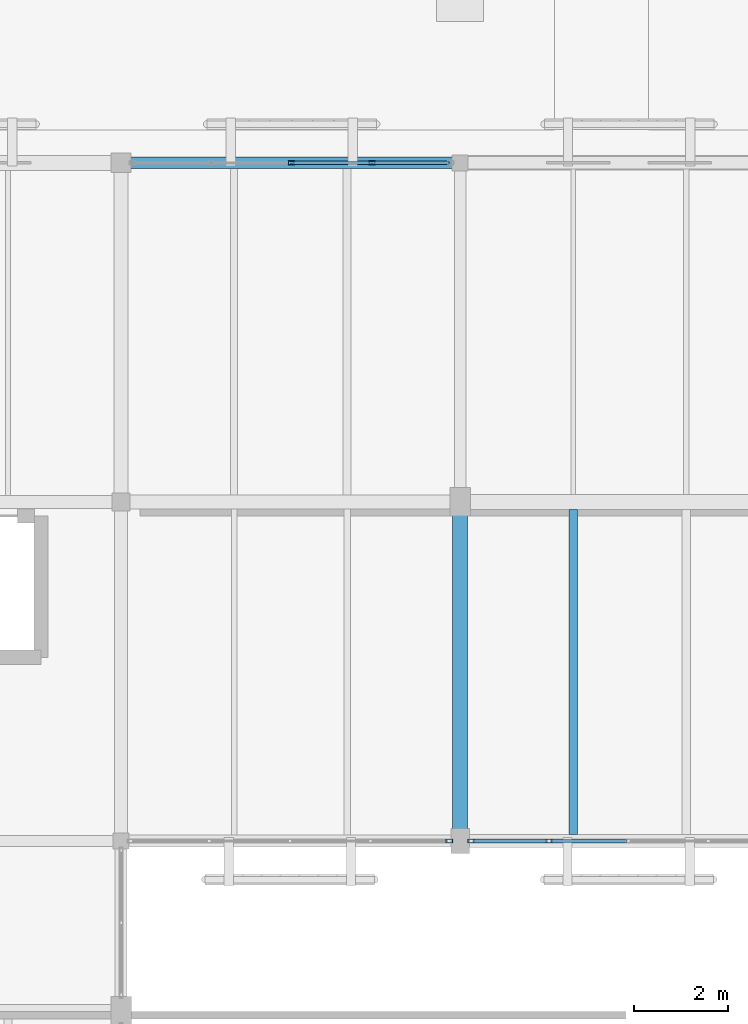
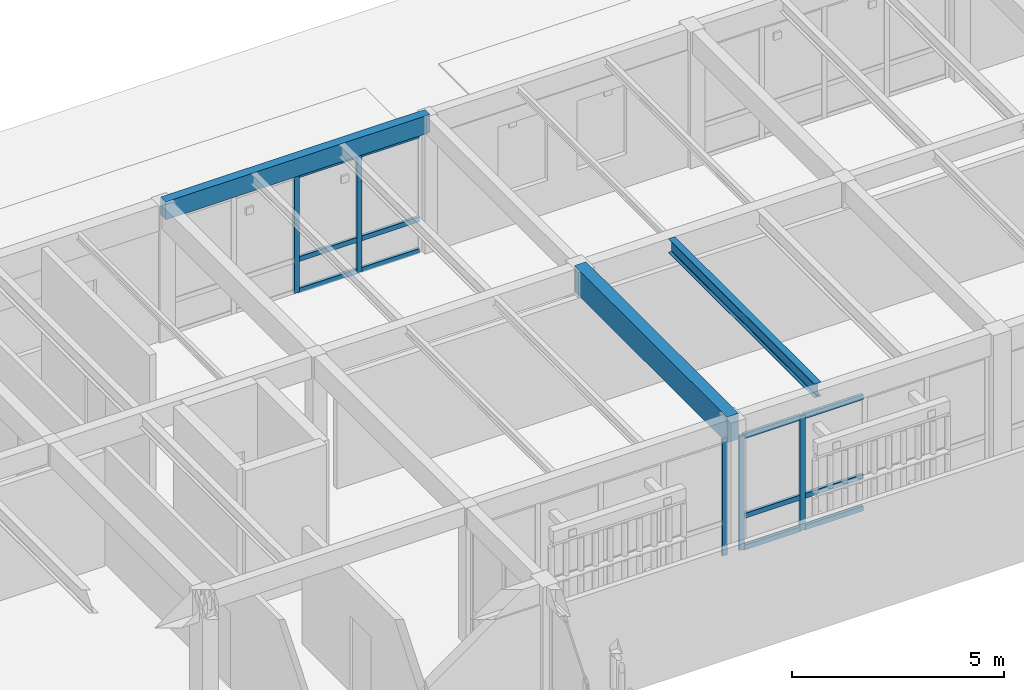
# One storey, part 65 of 112: 17 members, 3 beams, 3 elements without a shape of their own.
"""IFC4 building model written with IfcOpenShell, lengths in metres."""

from ifc_helpers import new_model, si_unit, direction, frame, origin, origin_2d, place, context, subcontext, project, spatial, rectangle, hollow_rectangle, i_section, extrude, material, layer, layer_set, material_profile, profile_set, type_object, element, aggregate, save


model = new_model("IFC4")

# Units and contexts
model_context = context("Model", 3, precision=1e-05, world=origin(), true_north=direction((0.0, 1.0)))
body_context = subcontext(model_context, "Body", "Model", "MODEL_VIEW")
ifc_project = project(units=[si_unit("LENGTHUNIT", "METRE"), si_unit("AREAUNIT", "SQUARE_METRE"), si_unit("VOLUMEUNIT", "CUBIC_METRE"), si_unit("PLANEANGLEUNIT", "RADIAN"), si_unit("MASSUNIT", "GRAM", prefix="KILO")], contexts=[model_context])

# Site, building, storey
site_placement = place(None, origin())
site = spatial("IfcSite", under=ifc_project, at=site_placement, CompositionType="ELEMENT")
building_placement = place(site_placement, origin())
building = spatial("IfcBuilding", under=site, at=building_placement, Name="Mazaris Harbour Polytechnic", CompositionType="ELEMENT")
storey_placement = place(building_placement, frame((0.0, 0.0, 13.800048828125)))
storey = spatial("IfcBuildingStorey", under=building, at=storey_placement, Name="L03", CompositionType="ELEMENT", Elevation=13.800048828125)

# Curtain wall, members
ifc_material_1 = material(Name="Anodised Bronze Aluminium and Low-E Glass", Category="aluminium")
ifc_layer = layer(ifc_material_1, 0.169921875, Name="Anodised Bronze Aluminium and Low-E Glass")
ifc_layer_set = layer_set([ifc_layer], Name="Anodised Bronze Aluminium and Low-E Glass")
curtain_wall_type = type_object("IfcCurtainWallType", Name="Studio North-Light Curtain Wall", PredefinedType="NOTDEFINED", material=ifc_layer_set)
curtain_wall_1_placement = place(storey_placement, origin())
curtain_wall_1 = element("IfcCurtainWall", 1, at=curtain_wall_1_placement, inside=storey, type_object=curtain_wall_type, Name="V5 L03 Curtain Wall 250", PredefinedType="NOTDEFINED")
ifc_material_2 = material(Name="Anodised Bronze Steel S355", Category="steel")
ifc_material_profile_1 = material_profile(ifc_material_2, hollow_rectangle(XDim=0.080078125, YDim=0.139892578125, WallThickness=0.00634765625, at=origin_2d()), Name="RHS 80x140x6.3")
ifc_profile_set_1 = profile_set([ifc_material_profile_1], Name="Anodised Bronze Steel S355")
member_type_1 = type_object("IfcMemberType", Name="Curtain Mullion RHS80x140", PredefinedType="MULLION", material=ifc_profile_set_1)
member_1_placement = place(storey_placement, frame((140.419921875, 100.800048828125, 0.0), z_axis=(0.0, 0.0, 1.0), x_axis=(0.0, 1.0, 0.0)))
member_1 = element("IfcMember", 2, at=member_1_placement, type_object=member_type_1, Name="CW-03 mullion 3", PredefinedType="MULLION", context=body_context, shape_type="SweptSolid", body=[
    extrude(hollow_rectangle(XDim=0.080078125, YDim=0.139892578125, WallThickness=0.00634765625, at=origin_2d()), origin(), (0.0, 0.0, 1.0), 3.405029296875),
])
member_2_placement = place(storey_placement, frame((142.12890625, 100.800048828125, 0.0), z_axis=(0.0, 0.0, 1.0), x_axis=(0.0, 1.0, 0.0)))
member_2 = element("IfcMember", 3, at=member_2_placement, type_object=member_type_1, Name="CW-03 mullion 4", PredefinedType="MULLION", context=body_context, shape_type="SweptSolid", body=[
    extrude(hollow_rectangle(XDim=0.080078125, YDim=0.139892578125, WallThickness=0.00634765625, at=origin_2d()), origin(), (0.0, 0.0, 1.0), 3.405029296875),
])

# Curtain wall, member
curtain_wall_2_placement = place(storey_placement, origin())
curtain_wall_2 = element("IfcCurtainWall", 4, at=curtain_wall_2_placement, inside=storey, type_object=curtain_wall_type, Name="V5 L03 Curtain Wall 260", PredefinedType="NOTDEFINED")
member_3_placement = place(storey_placement, frame((143.76806640625, 86.39990234375, 0.0), z_axis=(0.0, 0.0, 1.0), x_axis=(0.0, -1.0, 0.0)))
member_3 = element("IfcMember", 5, at=member_3_placement, type_object=member_type_1, Name="CW-03 mullion 1", PredefinedType="MULLION", context=body_context, shape_type="SweptSolid", body=[
    extrude(hollow_rectangle(XDim=0.080078125, YDim=0.139892578125, WallThickness=0.00634765625, at=origin_2d()), origin(), (0.0, 0.0, 1.0), 3.344970703125),
])
aggregate(curtain_wall_2, [member_3])

# Curtain wall, members
curtain_wall_3_placement = place(storey_placement, origin())
curtain_wall_3 = element("IfcCurtainWall", 6, at=curtain_wall_3_placement, inside=storey, type_object=curtain_wall_type, Name="V5 L03 Curtain Wall 261", PredefinedType="NOTDEFINED")
member_4_placement = place(storey_placement, frame((145.883544921875, 86.39990234375, 0.0), z_axis=(0.0, 0.0, 1.0), x_axis=(0.0, -1.0, 0.0)))
member_4 = element("IfcMember", 7, at=member_4_placement, type_object=member_type_1, Name="CW-03 mullion 4", PredefinedType="MULLION", context=body_context, shape_type="SweptSolid", body=[
    extrude(hollow_rectangle(XDim=0.080078125, YDim=0.139892578125, WallThickness=0.00634765625, at=origin_2d()), origin(), (0.0, 0.0, 1.0), 3.284912109375),
])
member_5_placement = place(storey_placement, frame((144.23193359375, 86.39990234375, 0.0), z_axis=(0.0, 0.0, 1.0), x_axis=(0.0, -1.0, 0.0)))
member_5 = element("IfcMember", 8, at=member_5_placement, type_object=member_type_1, Name="CW-03 mullion 5", PredefinedType="MULLION", context=body_context, shape_type="SweptSolid", body=[
    extrude(hollow_rectangle(XDim=0.080078125, YDim=0.139892578125, WallThickness=0.00634765625, at=origin_2d()), origin(), (0.0, 0.0, 1.0), 3.284912109375),
])

# Member
ifc_material_3 = material(Name="Anodised Bronze Steel S355", Category="steel")
ifc_material_profile_2 = material_profile(ifc_material_3, hollow_rectangle(XDim=0.080078125, YDim=0.139892578125, WallThickness=0.00634765625, at=origin_2d()), Name="RHS 80x140x6.3")
ifc_profile_set_2 = profile_set([ifc_material_profile_2], Name="Anodised Bronze Steel S355")
member_type_2 = type_object("IfcMemberType", Name="Curtain Transom RHS80x140", PredefinedType="USERDEFINED", material=ifc_profile_set_2)
member_6_placement = place(storey_placement, frame((140.4599609375, 100.800048828125, 0.0400390625), z_axis=(1.0, 0.0, 0.0), x_axis=(0.0, 1.0, 0.0)))
member_6 = element("IfcMember", 9, at=member_6_placement, type_object=member_type_2, Name="CW-03 transom 3.1", ObjectType="TRANSOM", PredefinedType="USERDEFINED", context=body_context, shape_type="SweptSolid", body=[
    extrude(hollow_rectangle(XDim=0.080078125, YDim=0.139892578125, WallThickness=0.00634765625, at=origin_2d()), origin(), (0.0, 0.0, 1.0), 1.629150390625),
])

member_7_placement = place(storey_placement, frame((140.4599609375, 100.800048828125, 0.949951171875), z_axis=(1.0, 0.0, 0.0), x_axis=(0.0, 1.0, 0.0)))
member_7 = element("IfcMember", 10, at=member_7_placement, type_object=member_type_2, Name="CW-03 transom 3.2", ObjectType="TRANSOM", PredefinedType="USERDEFINED", context=body_context, shape_type="SweptSolid", body=[
    extrude(hollow_rectangle(XDim=0.080078125, YDim=0.139892578125, WallThickness=0.00634765625, at=origin_2d()), origin(), (0.0, 0.0, 1.0), 1.629150390625),
])

member_8_placement = place(storey_placement, frame((140.4599609375, 100.800048828125, 3.364990234375), z_axis=(1.0, 0.0, 0.0), x_axis=(0.0, 1.0, 0.0)))
member_8 = element("IfcMember", 11, at=member_8_placement, type_object=member_type_2, Name="CW-03 transom 3.3", ObjectType="TRANSOM", PredefinedType="USERDEFINED", context=body_context, shape_type="SweptSolid", body=[
    extrude(hollow_rectangle(XDim=0.080078125, YDim=0.139892578125, WallThickness=0.00634765625, at=origin_2d()), origin(), (0.0, 0.0, 1.0), 1.629150390625),
])

member_9_placement = place(storey_placement, frame((142.1689453125, 100.800048828125, 0.0400390625), z_axis=(1.0, 0.0, 0.0), x_axis=(0.0, 1.0, 0.0)))
member_9 = element("IfcMember", 12, at=member_9_placement, type_object=member_type_2, Name="CW-03 transom 4.1", ObjectType="TRANSOM", PredefinedType="USERDEFINED", context=body_context, shape_type="SweptSolid", body=[
    extrude(hollow_rectangle(XDim=0.080078125, YDim=0.139892578125, WallThickness=0.00634765625, at=origin_2d()), origin(), (0.0, 0.0, 1.0), 1.589111328125),
])

member_10_placement = place(storey_placement, frame((142.1689453125, 100.800048828125, 0.949951171875), z_axis=(1.0, 0.0, 0.0), x_axis=(0.0, 1.0, 0.0)))
member_10 = element("IfcMember", 13, at=member_10_placement, type_object=member_type_2, Name="CW-03 transom 4.2", ObjectType="TRANSOM", PredefinedType="USERDEFINED", context=body_context, shape_type="SweptSolid", body=[
    extrude(hollow_rectangle(XDim=0.080078125, YDim=0.139892578125, WallThickness=0.00634765625, at=origin_2d()), origin(), (0.0, 0.0, 1.0), 1.589111328125),
])

member_11_placement = place(storey_placement, frame((142.1689453125, 100.800048828125, 3.364990234375), z_axis=(1.0, 0.0, 0.0), x_axis=(0.0, 1.0, 0.0)))
member_11 = element("IfcMember", 14, at=member_11_placement, type_object=member_type_2, Name="CW-03 transom 4.3", ObjectType="TRANSOM", PredefinedType="USERDEFINED", context=body_context, shape_type="SweptSolid", body=[
    extrude(hollow_rectangle(XDim=0.080078125, YDim=0.139892578125, WallThickness=0.00634765625, at=origin_2d()), origin(), (0.0, 0.0, 1.0), 1.589111328125),
])

aggregate(curtain_wall_1, [member_1, member_2, member_6, member_7, member_8, member_9, member_10, member_11])

member_12_placement = place(storey_placement, frame((147.534912109375, 86.39990234375, 0.0400390625), z_axis=(-1.0, 0.0, 0.0), x_axis=(0.0, -1.0, 0.0)))
member_12 = element("IfcMember", 15, at=member_12_placement, type_object=member_type_2, Name="CW-03 transom 3.1", ObjectType="TRANSOM", PredefinedType="USERDEFINED", context=body_context, shape_type="SweptSolid", body=[
    extrude(hollow_rectangle(XDim=0.080078125, YDim=0.139892578125, WallThickness=0.00634765625, at=origin_2d()), origin(), (0.0, 0.0, 1.0), 1.611328125),
])

member_13_placement = place(storey_placement, frame((147.534912109375, 86.39990234375, 0.949951171875), z_axis=(-1.0, 0.0, 0.0), x_axis=(0.0, -1.0, 0.0)))
member_13 = element("IfcMember", 16, at=member_13_placement, type_object=member_type_2, Name="CW-03 transom 3.2", ObjectType="TRANSOM", PredefinedType="USERDEFINED", context=body_context, shape_type="SweptSolid", body=[
    extrude(hollow_rectangle(XDim=0.080078125, YDim=0.139892578125, WallThickness=0.00634765625, at=origin_2d()), origin(), (0.0, 0.0, 1.0), 1.611328125),
])

member_14_placement = place(storey_placement, frame((147.534912109375, 86.39990234375, 3.244873046875), z_axis=(-1.0, 0.0, 0.0), x_axis=(0.0, -1.0, 0.0)))
member_14 = element("IfcMember", 17, at=member_14_placement, type_object=member_type_2, Name="CW-03 transom 3.3", ObjectType="TRANSOM", PredefinedType="USERDEFINED", context=body_context, shape_type="SweptSolid", body=[
    extrude(hollow_rectangle(XDim=0.080078125, YDim=0.139892578125, WallThickness=0.00634765625, at=origin_2d()), origin(), (0.0, 0.0, 1.0), 1.611328125),
])

member_15_placement = place(storey_placement, frame((145.843505859375, 86.39990234375, 0.0400390625), z_axis=(-1.0, 0.0, 0.0), x_axis=(0.0, -1.0, 0.0)))
member_15 = element("IfcMember", 18, at=member_15_placement, type_object=member_type_2, Name="CW-03 transom 4.1", ObjectType="TRANSOM", PredefinedType="USERDEFINED", context=body_context, shape_type="SweptSolid", body=[
    extrude(hollow_rectangle(XDim=0.080078125, YDim=0.139892578125, WallThickness=0.00634765625, at=origin_2d()), origin(), (0.0, 0.0, 1.0), 1.571533203125),
])

member_16_placement = place(storey_placement, frame((145.843505859375, 86.39990234375, 0.949951171875), z_axis=(-1.0, 0.0, 0.0), x_axis=(0.0, -1.0, 0.0)))
member_16 = element("IfcMember", 19, at=member_16_placement, type_object=member_type_2, Name="CW-03 transom 4.2", ObjectType="TRANSOM", PredefinedType="USERDEFINED", context=body_context, shape_type="SweptSolid", body=[
    extrude(hollow_rectangle(XDim=0.080078125, YDim=0.139892578125, WallThickness=0.00634765625, at=origin_2d()), origin(), (0.0, 0.0, 1.0), 1.571533203125),
])

member_17_placement = place(storey_placement, frame((145.843505859375, 86.39990234375, 3.244873046875), z_axis=(-1.0, 0.0, 0.0), x_axis=(0.0, -1.0, 0.0)))
member_17 = element("IfcMember", 20, at=member_17_placement, type_object=member_type_2, Name="CW-03 transom 4.3", ObjectType="TRANSOM", PredefinedType="USERDEFINED", context=body_context, shape_type="SweptSolid", body=[
    extrude(hollow_rectangle(XDim=0.080078125, YDim=0.139892578125, WallThickness=0.00634765625, at=origin_2d()), origin(), (0.0, 0.0, 1.0), 1.571533203125),
])

aggregate(curtain_wall_3, [member_4, member_5, member_12, member_13, member_14, member_15, member_16, member_17])

# Beams
ifc_material_4 = material(Name="Glulam GL32h", Category="wood")
ifc_material_profile_3 = material_profile(ifc_material_4, rectangle(XDim=0.239990234375, YDim=0.52001953125, at=origin_2d()), Name="RECT240x520")
ifc_profile_set_3 = profile_set([ifc_material_profile_3], Name="Glulam GL32h")
beam_type_1 = type_object("IfcBeamType", Name="Glulam Girder 240x520 Exterior", PredefinedType="BEAM", material=ifc_profile_set_3)
beam_1_placement = place(storey_placement, frame((136.800048828125, 100.800048828125, 3.675048828125), z_axis=(1.0, 0.0, 0.0), x_axis=(0.0, 1.0, 0.0)))
element("IfcBeam", 21, at=beam_1_placement, inside=storey, type_object=beam_type_1, Name="V5 L03 Girder 3325", PredefinedType="BEAM", context=body_context, shape_type="SweptSolid", body=[
    extrude(rectangle(XDim=0.239990234375, YDim=0.52001953125, at=origin_2d()), origin(), (0.0, 0.0, 1.0), 7.199951171875),
])
ifc_material_5 = material(Name="Glulam GL32h", Category="wood")
ifc_material_profile_4 = material_profile(ifc_material_5, rectangle(XDim=0.320068359375, YDim=0.739990234375, at=origin_2d()), Name="RECT320x740")
ifc_profile_set_4 = profile_set([ifc_material_profile_4], Name="Glulam GL32h")
beam_type_2 = type_object("IfcBeamType", Name="Glulam Girder 320x740", PredefinedType="BEAM", material=ifc_profile_set_4)
beam_2_placement = place(storey_placement, frame((144.0, 86.39990234375, 3.56494140625), z_axis=(0.0, 1.0, 0.0), x_axis=(-1.0, 0.0, 0.0)))
element("IfcBeam", 22, at=beam_2_placement, inside=storey, type_object=beam_type_2, Name="V5 L03 Tie Girder 3344", PredefinedType="BEAM", context=body_context, shape_type="SweptSolid", body=[
    extrude(rectangle(XDim=0.320068359375, YDim=0.739990234375, at=origin_2d()), origin(), (0.0, 0.0, 1.0), 7.2001953125),
])
ifc_material_6 = material(Name="Steel S355", Category="steel")
ifc_material_profile_5 = material_profile(ifc_material_6, i_section(OverallWidth=0.179931640625, OverallDepth=0.39990234375, WebThickness=0.008544921875, FlangeThickness=0.013427734375, FilletRadius=0.02099609375, at=origin_2d()), Name="IPE 400")
ifc_profile_set_5 = profile_set([ifc_material_profile_5], Name="Steel S355")
beam_type_3 = type_object("IfcBeamType", Name="Steel Joist IPE400", PredefinedType="JOIST", material=ifc_profile_set_5)
beam_3_placement = place(storey_placement, frame((146.39990234375, 86.5400390625, 3.73486328125), z_axis=(0.0, 1.0, 0.0), x_axis=(-1.0, 0.0, 0.0)))
element("IfcBeam", 23, at=beam_3_placement, inside=storey, type_object=beam_type_3, Name="V5 L03 Floor Joist 3379", PredefinedType="JOIST", context=body_context, shape_type="SweptSolid", body=[
    extrude(i_section(OverallWidth=0.179931640625, OverallDepth=0.39990234375, WebThickness=0.008544921875, FlangeThickness=0.013427734375, FilletRadius=0.02099609375, at=origin_2d()), origin(), (0.0, 0.0, 1.0), 6.89990234375),
])

save(model, "model.ifc")
